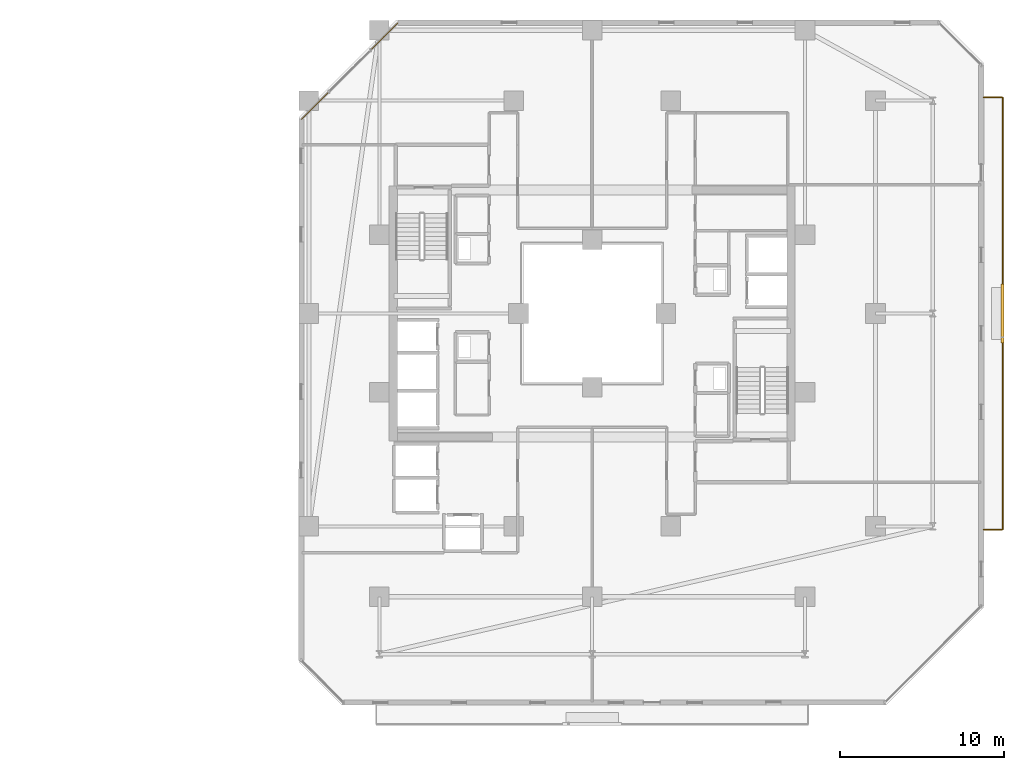
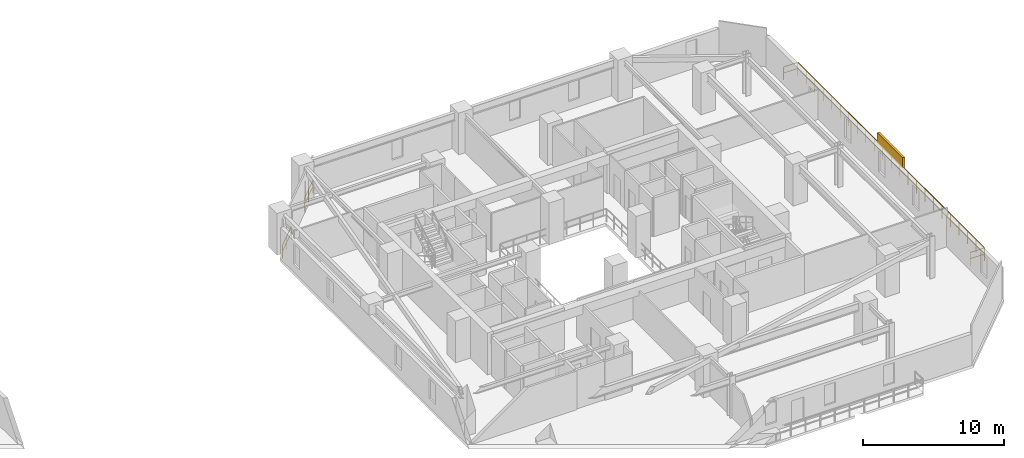
# One storey, part 32 of 32: 3 railings, 1 shading device.
"""IFC4 building model written with IfcOpenShell, lengths in metres."""

from ifc_helpers import new_model, si_unit, direction, frame, origin, origin_2d, place, context, subcontext, project, spatial, rectangle, extrude, material, type_object, element, save


model = new_model("IFC4")

# Units and contexts
model_context = context("Model", 3, precision=1e-05, world=origin(), true_north=direction((0.0, 1.0)))
body_context = subcontext(model_context, "Body", "Model", "MODEL_VIEW")
ifc_project = project(units=[si_unit("LENGTHUNIT", "METRE"), si_unit("AREAUNIT", "SQUARE_METRE"), si_unit("VOLUMEUNIT", "CUBIC_METRE"), si_unit("PLANEANGLEUNIT", "RADIAN"), si_unit("MASSUNIT", "GRAM", prefix="KILO")], contexts=[model_context])

# Site, building, storey
site_placement = place(None, origin())
site = spatial("IfcSite", under=ifc_project, at=site_placement, CompositionType="ELEMENT")
building_placement = place(site_placement, origin())
building = spatial("IfcBuilding", under=site, at=building_placement, Name="Thornwick Lancets Civic Towers", CompositionType="ELEMENT")
storey_placement = place(building_placement, frame((0.0, 0.0, 123.300048828125)))
storey = spatial("IfcBuildingStorey", under=building, at=storey_placement, Name="L32", CompositionType="ELEMENT", Elevation=123.300048828125)

# Railings
ifc_material_1 = material(Name="Terracotta-capped laminated glass balustrade S355", Category="masonry")
railing_type = type_object("IfcRailingType", Name="RAIL_TERR_GUARD", PredefinedType="GUARDRAIL", material=ifc_material_1)
for number, where, name in (
    (1, (76.627685546875, 44.753662109375, 0.0), "L32 Tower B Chamfer Spandrel Guard E5-1"),
    (2, (72.4208984375, 40.546875, 0.0), "L32 Tower B Chamfer Spandrel Guard E5-2"),
):
    element("IfcRailing", number, at=place(storey_placement, frame(where)), inside=storey, type_object=railing_type, Name=name, PredefinedType="GUARDRAIL", context=body_context, shape_type="SweptSolid", body=[
        extrude(rectangle(XDim=0.048095703125, YDim=0.048095703125, at=origin_2d()), frame((0.0, 0.0, 1.1259765625), z_axis=(-0.707106781187, -0.707106781187, 0.0), x_axis=(0.707106781187, -0.707106781187, 0.0)), (0.0, 0.0, 1.0), 2.3681640625),
        extrude(rectangle(XDim=0.0419921875, YDim=0.0419921875, at=origin_2d()), frame((-0.026611328125, -0.026611328125, 0.597900390625), z_axis=(-0.707106781187, -0.707106781187, 0.0), x_axis=(0.707106781187, -0.707106781187, 0.0)), (0.0, 0.0, 1.0), 1.109130859375),
        extrude(rectangle(XDim=0.0419921875, YDim=0.0419921875, at=origin_2d()), frame((-0.86376953125, -0.86376953125, 0.597900390625), z_axis=(-0.707106781187, -0.707106781187, 0.0), x_axis=(0.707106781187, -0.707106781187, 0.0)), (0.0, 0.0, 1.0), 1.109130859375),
        extrude(rectangle(XDim=0.0419921875, YDim=0.0419921875, at=origin_2d()), origin(), (0.0, 0.0, 1.0), 1.095703125),
        extrude(rectangle(XDim=0.0419921875, YDim=0.0419921875, at=origin_2d()), frame((-0.83740234375, -0.83740234375, 0.0)), (0.0, 0.0, 1.0), 1.095703125),
        extrude(rectangle(XDim=0.0419921875, YDim=0.0419921875, at=origin_2d()), frame((-1.674560546875, -1.674560546875, 0.0)), (0.0, 0.0, 1.0), 1.095703125),
    ])
railing_placement = place(storey_placement, frame((112.39990234375, 13.800048828125, 0.0)))
element("IfcRailing", 3, at=railing_placement, inside=storey, type_object=railing_type, Name="L32 Tower B Balcony Guard E", PredefinedType="GUARDRAIL", context=body_context, shape_type="SweptSolid", body=[
    extrude(rectangle(XDim=0.048095703125, YDim=0.048095703125, at=origin_2d()), frame((0.0, 0.0, 1.1259765625), z_axis=(1.0, 0.0, 0.0), x_axis=(0.0, 1.0, 0.0)), (0.0, 0.0, 1.0), 1.138916015625),
    extrude(rectangle(XDim=0.0419921875, YDim=0.0419921875, at=origin_2d()), frame((0.03759765625, 0.0, 0.597900390625), z_axis=(1.0, 0.0, 0.0), x_axis=(0.0, 1.0, 0.0)), (0.0, 0.0, 1.0), 1.09521484375),
    extrude(rectangle(XDim=0.048095703125, YDim=0.048095703125, at=origin_2d()), frame((1.170166015625, 0.03125, 1.1259765625), z_axis=(0.0, 1.0, 0.0), x_axis=(-1.0, 0.0, 0.0)), (0.0, 0.0, 1.0), 26.33740234375),
    extrude(rectangle(XDim=0.0419921875, YDim=0.0419921875, at=origin_2d()), frame((1.170166015625, 0.03759765625, 0.597900390625), z_axis=(0.0, 1.0, 0.0), x_axis=(-1.0, 0.0, 0.0)), (0.0, 0.0, 1.0), 1.125),
    extrude(rectangle(XDim=0.0419921875, YDim=0.0419921875, at=origin_2d()), frame((1.170166015625, 1.237548828125, 0.597900390625), z_axis=(0.0, 1.0, 0.0), x_axis=(-1.0, 0.0, 0.0)), (0.0, 0.0, 1.0), 1.125),
    extrude(rectangle(XDim=0.0419921875, YDim=0.0419921875, at=origin_2d()), frame((1.170166015625, 2.4375, 0.597900390625), z_axis=(0.0, 1.0, 0.0), x_axis=(-1.0, 0.0, 0.0)), (0.0, 0.0, 1.0), 1.125),
    extrude(rectangle(XDim=0.0419921875, YDim=0.0419921875, at=origin_2d()), frame((1.170166015625, 3.637451171875, 0.597900390625), z_axis=(0.0, 1.0, 0.0), x_axis=(-1.0, 0.0, 0.0)), (0.0, 0.0, 1.0), 1.125),
    extrude(rectangle(XDim=0.0419921875, YDim=0.0419921875, at=origin_2d()), frame((1.170166015625, 4.83740234375, 0.597900390625), z_axis=(0.0, 1.0, 0.0), x_axis=(-1.0, 0.0, 0.0)), (0.0, 0.0, 1.0), 1.125),
    extrude(rectangle(XDim=0.0419921875, YDim=0.0419921875, at=origin_2d()), frame((1.170166015625, 6.037353515625, 0.597900390625), z_axis=(0.0, 1.0, 0.0), x_axis=(-1.0, 0.0, 0.0)), (0.0, 0.0, 1.0), 1.125),
    extrude(rectangle(XDim=0.0419921875, YDim=0.0419921875, at=origin_2d()), frame((1.170166015625, 7.237548828125, 0.597900390625), z_axis=(0.0, 1.0, 0.0), x_axis=(-1.0, 0.0, 0.0)), (0.0, 0.0, 1.0), 1.125),
    extrude(rectangle(XDim=0.0419921875, YDim=0.0419921875, at=origin_2d()), frame((1.170166015625, 8.4375, 0.597900390625), z_axis=(0.0, 1.0, 0.0), x_axis=(-1.0, 0.0, 0.0)), (0.0, 0.0, 1.0), 1.125),
    extrude(rectangle(XDim=0.0419921875, YDim=0.0419921875, at=origin_2d()), frame((1.170166015625, 9.637451171875, 0.597900390625), z_axis=(0.0, 1.0, 0.0), x_axis=(-1.0, 0.0, 0.0)), (0.0, 0.0, 1.0), 1.125),
    extrude(rectangle(XDim=0.0419921875, YDim=0.0419921875, at=origin_2d()), frame((1.170166015625, 10.83740234375, 0.597900390625), z_axis=(0.0, 1.0, 0.0), x_axis=(-1.0, 0.0, 0.0)), (0.0, 0.0, 1.0), 1.125),
    extrude(rectangle(XDim=0.0419921875, YDim=0.0419921875, at=origin_2d()), frame((1.170166015625, 12.037353515625, 0.597900390625), z_axis=(0.0, 1.0, 0.0), x_axis=(-1.0, 0.0, 0.0)), (0.0, 0.0, 1.0), 1.125),
    extrude(rectangle(XDim=0.0419921875, YDim=0.0419921875, at=origin_2d()), frame((1.170166015625, 13.237548828125, 0.597900390625), z_axis=(0.0, 1.0, 0.0), x_axis=(-1.0, 0.0, 0.0)), (0.0, 0.0, 1.0), 1.125),
    extrude(rectangle(XDim=0.0419921875, YDim=0.0419921875, at=origin_2d()), frame((1.170166015625, 14.4375, 0.597900390625), z_axis=(0.0, 1.0, 0.0), x_axis=(-1.0, 0.0, 0.0)), (0.0, 0.0, 1.0), 1.125),
    extrude(rectangle(XDim=0.0419921875, YDim=0.0419921875, at=origin_2d()), frame((1.170166015625, 15.637451171875, 0.597900390625), z_axis=(0.0, 1.0, 0.0), x_axis=(-1.0, 0.0, 0.0)), (0.0, 0.0, 1.0), 1.125),
    extrude(rectangle(XDim=0.0419921875, YDim=0.0419921875, at=origin_2d()), frame((1.170166015625, 16.83740234375, 0.597900390625), z_axis=(0.0, 1.0, 0.0), x_axis=(-1.0, 0.0, 0.0)), (0.0, 0.0, 1.0), 1.125),
    extrude(rectangle(XDim=0.0419921875, YDim=0.0419921875, at=origin_2d()), frame((1.170166015625, 18.037353515625, 0.597900390625), z_axis=(0.0, 1.0, 0.0), x_axis=(-1.0, 0.0, 0.0)), (0.0, 0.0, 1.0), 1.125),
    extrude(rectangle(XDim=0.0419921875, YDim=0.0419921875, at=origin_2d()), frame((1.170166015625, 19.2373046875, 0.597900390625), z_axis=(0.0, 1.0, 0.0), x_axis=(-1.0, 0.0, 0.0)), (0.0, 0.0, 1.0), 1.125),
    extrude(rectangle(XDim=0.0419921875, YDim=0.0419921875, at=origin_2d()), frame((1.170166015625, 20.4375, 0.597900390625), z_axis=(0.0, 1.0, 0.0), x_axis=(-1.0, 0.0, 0.0)), (0.0, 0.0, 1.0), 1.125),
    extrude(rectangle(XDim=0.0419921875, YDim=0.0419921875, at=origin_2d()), frame((1.170166015625, 21.637451171875, 0.597900390625), z_axis=(0.0, 1.0, 0.0), x_axis=(-1.0, 0.0, 0.0)), (0.0, 0.0, 1.0), 1.125),
    extrude(rectangle(XDim=0.0419921875, YDim=0.0419921875, at=origin_2d()), frame((1.170166015625, 22.83740234375, 0.597900390625), z_axis=(0.0, 1.0, 0.0), x_axis=(-1.0, 0.0, 0.0)), (0.0, 0.0, 1.0), 1.125),
    extrude(rectangle(XDim=0.0419921875, YDim=0.0419921875, at=origin_2d()), frame((1.170166015625, 24.037353515625, 0.597900390625), z_axis=(0.0, 1.0, 0.0), x_axis=(-1.0, 0.0, 0.0)), (0.0, 0.0, 1.0), 1.125),
    extrude(rectangle(XDim=0.0419921875, YDim=0.0419921875, at=origin_2d()), frame((1.170166015625, 25.2373046875, 0.597900390625), z_axis=(0.0, 1.0, 0.0), x_axis=(-1.0, 0.0, 0.0)), (0.0, 0.0, 1.0), 1.125),
    extrude(rectangle(XDim=0.048095703125, YDim=0.048095703125, at=origin_2d()), frame((1.138916015625, 26.39990234375, 1.1259765625), z_axis=(-1.0, 0.0, 0.0), x_axis=(0.0, -1.0, 0.0)), (0.0, 0.0, 1.0), 1.138916015625),
    extrude(rectangle(XDim=0.0419921875, YDim=0.0419921875, at=origin_2d()), frame((1.132568359375, 26.39990234375, 0.597900390625), z_axis=(-1.0, 0.0, 0.0), x_axis=(0.0, -1.0, 0.0)), (0.0, 0.0, 1.0), 1.09521484375),
    extrude(rectangle(XDim=0.0419921875, YDim=0.0419921875, at=origin_2d()), origin(), (0.0, 0.0, 1.0), 1.095703125),
    extrude(rectangle(XDim=0.0419921875, YDim=0.0419921875, at=origin_2d()), frame((1.170166015625, 0.0, 0.0)), (0.0, 0.0, 1.0), 1.095703125),
    extrude(rectangle(XDim=0.0419921875, YDim=0.0419921875, at=origin_2d()), frame((1.170166015625, 1.199951171875, 0.0)), (0.0, 0.0, 1.0), 1.095703125),
    extrude(rectangle(XDim=0.0419921875, YDim=0.0419921875, at=origin_2d()), frame((1.170166015625, 2.39990234375, 0.0)), (0.0, 0.0, 1.0), 1.095703125),
    extrude(rectangle(XDim=0.0419921875, YDim=0.0419921875, at=origin_2d()), frame((1.170166015625, 3.60009765625, 0.0)), (0.0, 0.0, 1.0), 1.095703125),
    extrude(rectangle(XDim=0.0419921875, YDim=0.0419921875, at=origin_2d()), frame((1.170166015625, 4.800048828125, 0.0)), (0.0, 0.0, 1.0), 1.095703125),
    extrude(rectangle(XDim=0.0419921875, YDim=0.0419921875, at=origin_2d()), frame((1.170166015625, 6.0, 0.0)), (0.0, 0.0, 1.0), 1.095703125),
    extrude(rectangle(XDim=0.0419921875, YDim=0.0419921875, at=origin_2d()), frame((1.170166015625, 7.199951171875, 0.0)), (0.0, 0.0, 1.0), 1.095703125),
    extrude(rectangle(XDim=0.0419921875, YDim=0.0419921875, at=origin_2d()), frame((1.170166015625, 8.39990234375, 0.0)), (0.0, 0.0, 1.0), 1.095703125),
    extrude(rectangle(XDim=0.0419921875, YDim=0.0419921875, at=origin_2d()), frame((1.170166015625, 9.599853515625, 0.0)), (0.0, 0.0, 1.0), 1.095703125),
    extrude(rectangle(XDim=0.0419921875, YDim=0.0419921875, at=origin_2d()), frame((1.170166015625, 10.800048828125, 0.0)), (0.0, 0.0, 1.0), 1.095703125),
    extrude(rectangle(XDim=0.0419921875, YDim=0.0419921875, at=origin_2d()), frame((1.170166015625, 12.0, 0.0)), (0.0, 0.0, 1.0), 1.095703125),
    extrude(rectangle(XDim=0.0419921875, YDim=0.0419921875, at=origin_2d()), frame((1.170166015625, 13.199951171875, 0.0)), (0.0, 0.0, 1.0), 1.095703125),
    extrude(rectangle(XDim=0.0419921875, YDim=0.0419921875, at=origin_2d()), frame((1.170166015625, 14.39990234375, 0.0)), (0.0, 0.0, 1.0), 1.095703125),
    extrude(rectangle(XDim=0.0419921875, YDim=0.0419921875, at=origin_2d()), frame((1.170166015625, 15.599853515625, 0.0)), (0.0, 0.0, 1.0), 1.095703125),
    extrude(rectangle(XDim=0.0419921875, YDim=0.0419921875, at=origin_2d()), frame((1.170166015625, 16.800048828125, 0.0)), (0.0, 0.0, 1.0), 1.095703125),
    extrude(rectangle(XDim=0.0419921875, YDim=0.0419921875, at=origin_2d()), frame((1.170166015625, 18.0, 0.0)), (0.0, 0.0, 1.0), 1.095703125),
    extrude(rectangle(XDim=0.0419921875, YDim=0.0419921875, at=origin_2d()), frame((1.170166015625, 19.199951171875, 0.0)), (0.0, 0.0, 1.0), 1.095703125),
    extrude(rectangle(XDim=0.0419921875, YDim=0.0419921875, at=origin_2d()), frame((1.170166015625, 20.39990234375, 0.0)), (0.0, 0.0, 1.0), 1.095703125),
    extrude(rectangle(XDim=0.0419921875, YDim=0.0419921875, at=origin_2d()), frame((1.170166015625, 21.599853515625, 0.0)), (0.0, 0.0, 1.0), 1.095703125),
    extrude(rectangle(XDim=0.0419921875, YDim=0.0419921875, at=origin_2d()), frame((1.170166015625, 22.7998046875, 0.0)), (0.0, 0.0, 1.0), 1.095703125),
    extrude(rectangle(XDim=0.0419921875, YDim=0.0419921875, at=origin_2d()), frame((1.170166015625, 24.0, 0.0)), (0.0, 0.0, 1.0), 1.095703125),
    extrude(rectangle(XDim=0.0419921875, YDim=0.0419921875, at=origin_2d()), frame((1.170166015625, 25.199951171875, 0.0)), (0.0, 0.0, 1.0), 1.095703125),
    extrude(rectangle(XDim=0.0419921875, YDim=0.0419921875, at=origin_2d()), frame((1.170166015625, 26.39990234375, 0.0)), (0.0, 0.0, 1.0), 1.095703125),
    extrude(rectangle(XDim=0.0419921875, YDim=0.0419921875, at=origin_2d()), frame((0.0, 26.39990234375, 0.0)), (0.0, 0.0, 1.0), 1.095703125),
])

# Shading device
ifc_material_2 = material(Name="Extruded terracotta baguette solar screen", Category="masonry")
shading_device_type = type_object("IfcShadingDeviceType", Name="SHADE_BAGUETTE", PredefinedType="JALOUSIE", material=ifc_material_2)
shading_device_placement = place(storey_placement, frame((113.56005859375, 27.0, 1.1201171875), z_axis=(0.0, 0.0, 1.0), x_axis=(0.0, 1.0, 0.0)))
element("IfcShadingDevice", 4, at=shading_device_placement, inside=storey, type_object=shading_device_type, Name="L32 Tower B Terracotta Baguette Screen E", PredefinedType="JALOUSIE", context=body_context, shape_type="SweptSolid", body=[
    extrude(rectangle(XDim=3.60009765625, YDim=0.179931640625, at=origin_2d()), origin(), (0.0, 0.0, 1.0), 0.89990234375),
])

save(model, "model.ifc")
